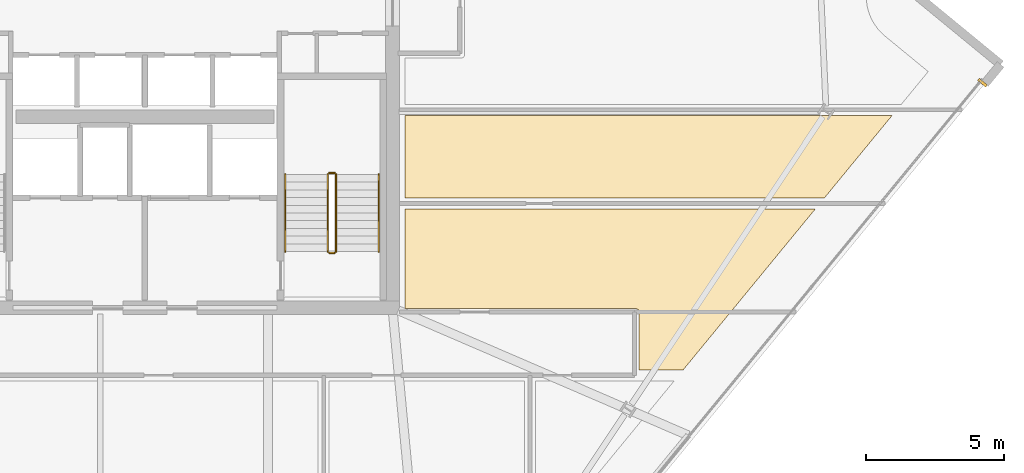
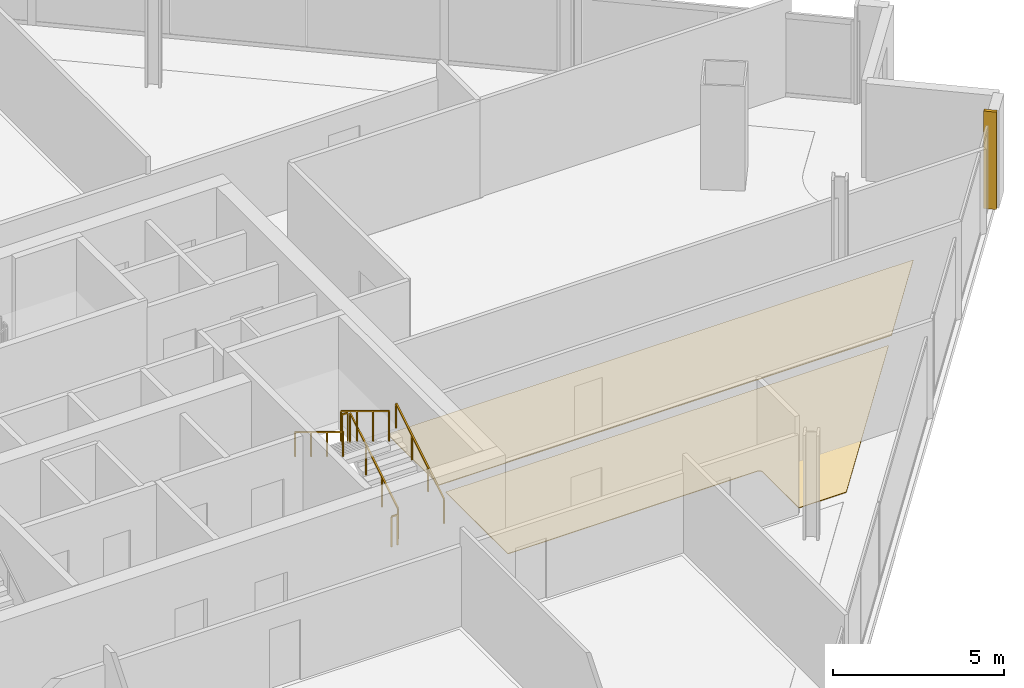
# One storey, part 26 of 28: 6 railings, 3 coverings.
"""IFC4 building model written with IfcOpenShell, lengths in metres."""

from ifc_helpers import new_model, si_unit, direction, frame, origin, origin_2d, place, context, subcontext, project, spatial, polyline, rectangle, outline, extrude, source, transform, mapped, material, layer, layer_set, type_object, element, save


model = new_model("IFC4")

# Units and contexts
model_context = context("Model", 3, precision=1e-05, world=origin(), true_north=direction((0.0, 1.0)))
body_context = subcontext(model_context, "Body", "Model", "MODEL_VIEW")
ifc_project = project(units=[si_unit("LENGTHUNIT", "METRE"), si_unit("AREAUNIT", "SQUARE_METRE"), si_unit("VOLUMEUNIT", "CUBIC_METRE"), si_unit("PLANEANGLEUNIT", "RADIAN"), si_unit("MASSUNIT", "GRAM", prefix="KILO")], contexts=[model_context])

# Site, building, storey
site_placement = place(None, origin())
site = spatial("IfcSite", under=ifc_project, at=site_placement, CompositionType="ELEMENT")
building_placement = place(site_placement, origin())
building = spatial("IfcBuilding", under=site, at=building_placement, Name="Haldenkirk Collegiate Tower", CompositionType="ELEMENT")
storey_placement = place(building_placement, frame((0.0, 0.0, 198.449951171875)))
storey = spatial("IfcBuildingStorey", under=building, at=storey_placement, Name="L49", CompositionType="ELEMENT", Elevation=198.449951171875)

# Coverings
ifc_material_1 = material(Name="Polished collegiate terrazzo", Category="concrete")
ifc_layer_1 = layer(ifc_material_1, 0.02490234375)
ifc_layer_set_1 = layer_set([ifc_layer_1], Name="Polished collegiate terrazzo")
covering_type_1 = type_object("IfcCoveringType", Name="COV-FLOOR-TERRAZZO", PredefinedType="FLOORING", material=ifc_layer_set_1)
covering_1_placement = place(storey_placement, origin())
element("IfcCovering", 1, at=covering_1_placement, inside=storey, type_object=covering_type_1, Name="L49 academic room finish 12", PredefinedType="FLOORING", context=body_context, shape_type="SweptSolid", body=[
    extrude(outline(polyline([(60.705810546875, 22.0), (45.449951171875, 22.0), (45.449951171875, 25.0), (63.169921875, 25.0), (60.705810546875, 22.0)])), origin(), (0.0, 0.0, 1.0), 0.025146484375),
])
ifc_material_2 = material(Name="Engineered collegiate oak acoustic flooring", Category="wood")
ifc_layer_2 = layer(ifc_material_2, 0.02197265625)
ifc_layer_set_2 = layer_set([ifc_layer_2], Name="Engineered collegiate oak acoustic flooring")
covering_type_2 = type_object("IfcCoveringType", Name="COV-FLOOR-TIMBER", PredefinedType="FLOORING", material=ifc_layer_set_2)
covering_2_placement = place(storey_placement, origin())
element("IfcCovering", 2, at=covering_2_placement, inside=storey, type_object=covering_type_2, Name="L49 academic room finish 11", PredefinedType="FLOORING", context=body_context, shape_type="SweptSolid", body=[
    extrude(outline(polyline([(55.572021484375, 15.75), (53.969970703125, 15.75), (53.969970703125, 17.85009765625), (53.969482421875, 17.86181640625), (53.9677734375, 17.873291015625), (53.96484375, 17.884765625), (53.9609375, 17.89599609375), (53.955810546875, 17.906494140625), (53.94970703125, 17.916748046875), (53.94287109375, 17.926025390625), (53.934814453125, 17.934814453125), (53.926025390625, 17.94287109375), (53.916748046875, 17.94970703125), (53.906494140625, 17.955810546875), (53.89599609375, 17.9609375), (53.884765625, 17.96484375), (53.873291015625, 17.9677734375), (53.86181640625, 17.969482421875), (53.85009765625, 17.969970703125), (45.449951171875, 17.969970703125), (45.449951171875, 21.60009765625), (60.377197265625, 21.60009765625), (55.572021484375, 15.75)])), origin(), (0.0, 0.0, 1.0), 0.02197265625),
])

# Railings
ifc_material_3 = material(Name="Painted architectural tubular steel", Category="steel")
railing_type_1 = type_object("IfcRailingType", Name="RLG-STAIR-GUARD-1100", PredefinedType="BALUSTRADE", material=ifc_material_3)
railing_1_placement = place(storey_placement, frame((42.949951171875, 20.050048828125, 0.17041015625)))
element("IfcRailing", 3, at=railing_1_placement, inside=storey, type_object=railing_type_1, Name="L49 ST-2 stair guard 1", PredefinedType="BALUSTRADE", context=body_context, shape_type="SweptSolid", body=[
    extrude(rectangle(XDim=0.048095703125, YDim=0.048095703125, at=origin_2d()), frame((0.0, 0.0, 1.076171875), z_axis=(0.0, 0.854169791009, 0.51999420009), x_axis=(-1.0, 0.0, 0.0)), (0.0, 0.0, 1.0), 3.278076171875),
    extrude(rectangle(XDim=0.0419921875, YDim=0.0419921875, at=origin_2d()), origin(), (0.0, 0.0, 1.0), 1.052001953125),
    extrude(rectangle(XDim=0.0419921875, YDim=0.0419921875, at=origin_2d()), frame((0.0, 0.933349609375, 0.568115234375)), (0.0, 0.0, 1.0), 1.052001953125),
    extrude(rectangle(XDim=0.0419921875, YDim=0.0419921875, at=origin_2d()), frame((0.0, 1.86669921875, 1.136474609375)), (0.0, 0.0, 1.0), 1.052001953125),
    extrude(rectangle(XDim=0.0419921875, YDim=0.0419921875, at=origin_2d()), frame((0.0, 2.800048828125, 1.70458984375)), (0.0, 0.0, 1.0), 1.052001953125),
])
railing_2_placement = place(storey_placement, frame((42.89990234375, 22.89990234375, 1.875)))
element("IfcRailing", 4, at=railing_2_placement, inside=storey, type_object=railing_type_1, Name="L49 ST-2 stair guard 2", PredefinedType="BALUSTRADE", context=body_context, shape_type="SweptSolid", body=[
    extrude(rectangle(XDim=0.048095703125, YDim=0.048095703125, at=origin_2d()), frame((0.0, 0.0, 1.076171875), z_axis=(-1.0, 0.0, 0.0), x_axis=(0.0, -1.0, 0.0)), (0.0, 0.0, 1.0), 0.199951171875),
    extrude(rectangle(XDim=0.0419921875, YDim=0.0419921875, at=origin_2d()), origin(), (0.0, 0.0, 1.0), 1.052001953125),
    extrude(rectangle(XDim=0.0419921875, YDim=0.0419921875, at=origin_2d()), frame((-0.199951171875, 0.0, 0.0)), (0.0, 0.0, 1.0), 1.052001953125),
])
railing_3_placement = place(storey_placement, frame((42.64990234375, 22.85009765625, 2.04541015625)))
element("IfcRailing", 5, at=railing_3_placement, inside=storey, type_object=railing_type_1, Name="L49 ST-2 stair guard 3", PredefinedType="BALUSTRADE", context=body_context, shape_type="SweptSolid", body=[
    extrude(rectangle(XDim=0.048095703125, YDim=0.048095703125, at=origin_2d()), frame((0.0, 0.0, 1.076171875), z_axis=(0.0, -0.854169791009, 0.51999420009), x_axis=(1.0, 0.0, 0.0)), (0.0, 0.0, 1.0), 3.278076171875),
    extrude(rectangle(XDim=0.0419921875, YDim=0.0419921875, at=origin_2d()), origin(), (0.0, 0.0, 1.0), 1.052001953125),
    extrude(rectangle(XDim=0.0419921875, YDim=0.0419921875, at=origin_2d()), frame((0.0, -0.933349609375, 0.568115234375)), (0.0, 0.0, 1.0), 1.052001953125),
    extrude(rectangle(XDim=0.0419921875, YDim=0.0419921875, at=origin_2d()), frame((0.0, -1.86669921875, 1.136474609375)), (0.0, 0.0, 1.0), 1.052001953125),
    extrude(rectangle(XDim=0.0419921875, YDim=0.0419921875, at=origin_2d()), frame((0.0, -2.800048828125, 1.70458984375)), (0.0, 0.0, 1.0), 1.052001953125),
])
railing_4_placement = place(storey_placement, frame((42.89990234375, 20.0, 0.0)))
element("IfcRailing", 6, at=railing_4_placement, inside=storey, type_object=railing_type_1, Name="L49 ST-2 stair guard 4", PredefinedType="BALUSTRADE", context=body_context, shape_type="SweptSolid", body=[
    extrude(rectangle(XDim=0.048095703125, YDim=0.048095703125, at=origin_2d()), frame((0.0, 0.0, 1.076171875), z_axis=(-1.0, 0.0, 0.0), x_axis=(0.0, -1.0, 0.0)), (0.0, 0.0, 1.0), 0.199951171875),
    extrude(rectangle(XDim=0.0419921875, YDim=0.0419921875, at=origin_2d()), origin(), (0.0, 0.0, 1.0), 1.052001953125),
    extrude(rectangle(XDim=0.0419921875, YDim=0.0419921875, at=origin_2d()), frame((-0.199951171875, 0.0, 0.0)), (0.0, 0.0, 1.0), 1.052001953125),
])
railing_type_2 = type_object("IfcRailingType", Name="RLG-STAIR-HANDRAIL-900", PredefinedType="HANDRAIL", material=ifc_material_3)
railing_5_placement = place(storey_placement, frame((44.5, 20.050048828125, 0.17041015625)))
element("IfcRailing", 7, at=railing_5_placement, inside=storey, type_object=railing_type_2, Name="L49 ST-2 stair handrail 1", PredefinedType="HANDRAIL", context=body_context, shape_type="SweptSolid", body=[
    extrude(rectangle(XDim=0.048095703125, YDim=0.048095703125, at=origin_2d()), frame((0.0, 0.0, 0.8759765625), z_axis=(0.0, 0.854169791009, 0.51999420009), x_axis=(-1.0, 0.0, 0.0)), (0.0, 0.0, 1.0), 3.278076171875),
    extrude(rectangle(XDim=0.0419921875, YDim=0.0419921875, at=origin_2d()), origin(), (0.0, 0.0, 1.0), 0.851806640625),
    extrude(rectangle(XDim=0.0419921875, YDim=0.0419921875, at=origin_2d()), frame((0.0, 0.933349609375, 0.568115234375)), (0.0, 0.0, 1.0), 0.851806640625),
    extrude(rectangle(XDim=0.0419921875, YDim=0.0419921875, at=origin_2d()), frame((0.0, 1.86669921875, 1.136474609375)), (0.0, 0.0, 1.0), 0.851806640625),
    extrude(rectangle(XDim=0.0419921875, YDim=0.0419921875, at=origin_2d()), frame((0.0, 2.800048828125, 1.70458984375)), (0.0, 0.0, 1.0), 0.851806640625),
])
railing_6_placement = place(storey_placement, frame((41.10009765625, 22.85009765625, 2.04541015625)))
element("IfcRailing", 8, at=railing_6_placement, inside=storey, type_object=railing_type_2, Name="L49 ST-2 stair handrail 2", PredefinedType="HANDRAIL", context=body_context, shape_type="SweptSolid", body=[
    extrude(rectangle(XDim=0.048095703125, YDim=0.048095703125, at=origin_2d()), frame((0.0, 0.0, 0.8759765625), z_axis=(0.0, -0.854169791009, 0.51999420009), x_axis=(1.0, 0.0, 0.0)), (0.0, 0.0, 1.0), 3.278076171875),
    extrude(rectangle(XDim=0.0419921875, YDim=0.0419921875, at=origin_2d()), origin(), (0.0, 0.0, 1.0), 0.851806640625),
    extrude(rectangle(XDim=0.0419921875, YDim=0.0419921875, at=origin_2d()), frame((0.0, -0.933349609375, 0.568115234375)), (0.0, 0.0, 1.0), 0.851806640625),
    extrude(rectangle(XDim=0.0419921875, YDim=0.0419921875, at=origin_2d()), frame((0.0, -1.86669921875, 1.136474609375)), (0.0, 0.0, 1.0), 0.851806640625),
    extrude(rectangle(XDim=0.0419921875, YDim=0.0419921875, at=origin_2d()), frame((0.0, -2.800048828125, 1.70458984375)), (0.0, 0.0, 1.0), 0.851806640625),
])

# Covering
ifc_material_4 = material(Name="Anodised architectural bronze aluminium", Category="aluminium")
ifc_layer_3 = layer(ifc_material_4, 0.06005859375)
ifc_layer_set_3 = layer_set([ifc_layer_3], Name="Anodised architectural bronze aluminium")
covering_type_3 = type_object("IfcCoveringType", Name="COV-CLAD-BRONZE-60", PredefinedType="CLADDING", material=ifc_layer_set_3)
shared_shape = source(origin(), body_context, "Body", "SweptSolid", [
    extrude(rectangle(XDim=0.10009765625, YDim=0.3798828125, at=origin_2d()), origin(), (0.0, 0.0, 1.0), 3.469970703125),
])
covering_3_placement = place(storey_placement, frame((66.44775390625, 26.18603515625, 0.0), z_axis=(0.0, 0.0, 1.0), x_axis=(-0.634730513202, -0.772733573497, 0.0)))
element("IfcCovering", 9, at=covering_3_placement, inside=storey, type_object=covering_type_3, Name="L49 recessed curtain-wall bronze jamb closure SJL", PredefinedType="CLADDING", context=body_context, shape_type="MappedRepresentation", body=[
    mapped(shared_shape, transform((0.0, 0.0, 0.0), x_axis=(1.0, 0.0, 0.0), y_axis=(0.0, 1.0, 0.0), z_axis=(0.0, 0.0, 1.0), scale=1.0)),
])

save(model, "model.ifc")
